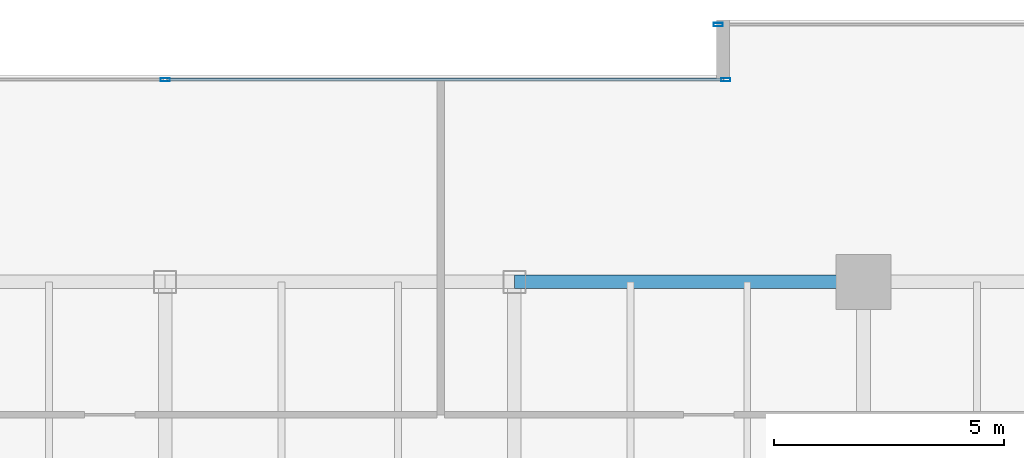
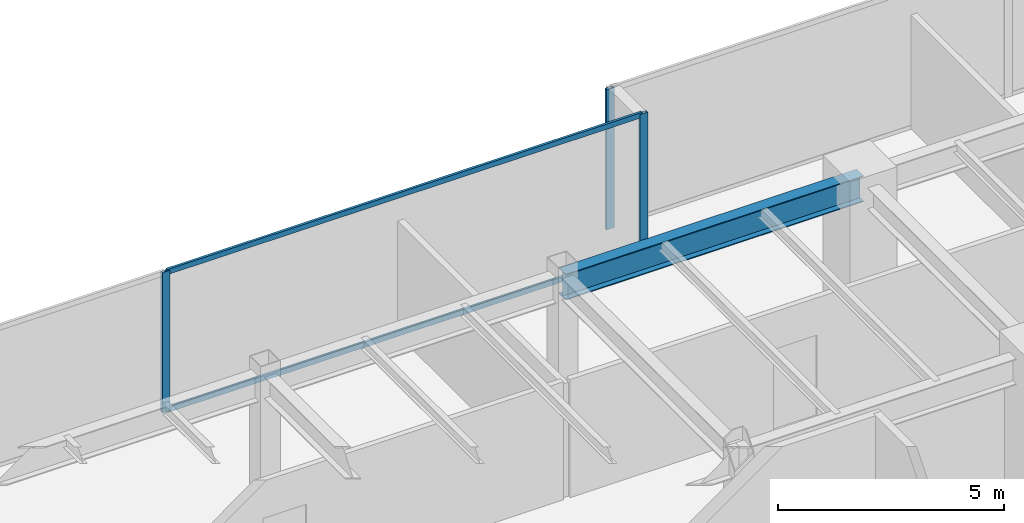
# One storey, part 18 of 31: 5 members, 1 beam, 2 elements without a shape of their own.
"""IFC4 building model written with IfcOpenShell, lengths in metres."""

from ifc_helpers import new_model, si_unit, direction, frame, origin, origin_2d, place, context, subcontext, project, spatial, hollow_rectangle, i_section, extrude, source, transform, mapped, material, layer, layer_set, material_profile, profile_set, type_object, type_shapes, element, aggregate, save


model = new_model("IFC4")

# Units and contexts
model_context = context("Model", 3, precision=1e-05, world=origin(), true_north=direction((0.0, 1.0)))
body_context = subcontext(model_context, "Body", "Model", "MODEL_VIEW")
ifc_project = project(units=[si_unit("LENGTHUNIT", "METRE"), si_unit("AREAUNIT", "SQUARE_METRE"), si_unit("VOLUMEUNIT", "CUBIC_METRE"), si_unit("PLANEANGLEUNIT", "RADIAN"), si_unit("MASSUNIT", "GRAM", prefix="KILO")], contexts=[model_context])

# Site, building, storey
site_placement = place(None, origin())
site = spatial("IfcSite", under=ifc_project, at=site_placement, CompositionType="ELEMENT")
building_placement = place(site_placement, origin())
building = spatial("IfcBuilding", under=site, at=building_placement, Name="Haelvirn Gate Laboratories", CompositionType="ELEMENT")
storey_placement = place(building_placement, frame((0.0, 0.0, 174.800048828125)))
storey = spatial("IfcBuildingStorey", under=building, at=storey_placement, Name="L42", CompositionType="ELEMENT", Elevation=174.800048828125)

# Beam
ifc_material_1 = material(Name="Steel SM355", Category="steel")
ifc_material_profile_1 = material_profile(ifc_material_1, i_section(OverallWidth=0.300048828125, OverallDepth=0.699951171875, WebThickness=0.012939453125, FlangeThickness=0.02392578125, at=origin_2d()), Name="H-700x300x13x24")
ifc_profile_set_1 = profile_set([ifc_material_profile_1], Name="Steel SM355")
beam_type = type_object("IfcBeamType", Name="BM-G-700", PredefinedType="BEAM", material=ifc_profile_set_1)
shared_shape_1 = source(origin(), body_context, "Body", "SweptSolid", [
    extrude(i_section(OverallWidth=0.300048828125, OverallDepth=0.699951171875, WebThickness=0.012939453125, FlangeThickness=0.02392578125, at=origin_2d()), origin(), (0.0, 0.0, 1.0), 7.60009765625),
])
type_shapes(beam_type, [shared_shape_1])
beam_placement = place(storey_placement, frame((45.0, 41.60009765625, 3.43994140625), z_axis=(1.0, 0.0, 0.0), x_axis=(0.0, 1.0, 0.0)))
element("IfcBeam", 1, at=beam_placement, inside=storey, type_object=beam_type, Name="L42 Primary Girder Y41.6 (45.0-52.6)", PredefinedType="BEAM", context=body_context, shape_type="MappedRepresentation", body=[
    mapped(shared_shape_1, transform((0.0, 0.0, 0.0), scale=1.0)),
])

# Curtain wall, members
ifc_material_2 = material(Name="Anodised bronze unitised aluminium & triple low-E glass", Category="aluminium")
ifc_layer = layer(ifc_material_2, 0.179931640625, Name="CW-SYS-3")
ifc_layer_set = layer_set([ifc_layer], Name="Anodised bronze unitised aluminium & triple low-E glass")
curtain_wall_type = type_object("IfcCurtainWallType", Name="CW-SYS-3", PredefinedType="NOTDEFINED", material=ifc_layer_set)
curtain_wall_1_placement = place(storey_placement, origin())
curtain_wall_1 = element("IfcCurtainWall", 2, at=curtain_wall_1_placement, inside=storey, type_object=curtain_wall_type, Name="L42 Unitised Curtain Wall CW-L42-P0-E12-1", PredefinedType="NOTDEFINED")
ifc_material_3 = material(Name="Extruded aluminium 6063-T6 (anodised bronze)", Category="aluminium")
ifc_material_profile_2 = material_profile(ifc_material_3, hollow_rectangle(XDim=0.06494140625, YDim=0.139892578125, WallThickness=0.00390625, at=origin_2d()), Name="CWT-140x65x4")
ifc_profile_set_2 = profile_set([ifc_material_profile_2], Name="Extruded aluminium 6063-T6 (anodised bronze)")
member_type_1 = type_object("IfcMemberType", Name="CWT-T140", PredefinedType="USERDEFINED", material=ifc_profile_set_2)
shared_shape_2 = source(origin(), body_context, "Body", "SweptSolid", [
    extrude(hollow_rectangle(XDim=0.06494140625, YDim=0.139892578125, WallThickness=0.00390625, at=origin_2d()), origin(), (0.0, 0.0, 1.0), 12.12744140625),
])
type_shapes(member_type_1, [shared_shape_2])
member_1_placement = place(storey_placement, frame((37.4375, 46.0, 0.032470703125), z_axis=(1.0, 0.0, 0.0), x_axis=(0.0, 1.0, 0.0)))
member_1 = element("IfcMember", 3, at=member_1_placement, type_object=member_type_1, Name="CW3 transom 2.1", ObjectType="TRANSOM", PredefinedType="USERDEFINED", context=body_context, shape_type="MappedRepresentation", body=[
    mapped(shared_shape_2, transform((0.0, 0.0, 0.0), scale=1.0)),
])
member_2_placement = place(storey_placement, frame((37.4375, 46.0, 3.757568359375), z_axis=(1.0, 0.0, 0.0), x_axis=(0.0, 1.0, 0.0)))
member_2 = element("IfcMember", 4, at=member_2_placement, type_object=member_type_1, Name="CW3 transom 2.2", ObjectType="TRANSOM", PredefinedType="USERDEFINED", context=body_context, shape_type="MappedRepresentation", body=[
    mapped(shared_shape_2, transform((0.0, 0.0, 0.0), scale=1.0)),
])

# Curtain wall, member
curtain_wall_2_placement = place(storey_placement, origin())
curtain_wall_2 = element("IfcCurtainWall", 5, at=curtain_wall_2_placement, inside=storey, type_object=curtain_wall_type, Name="L42 Unitised Curtain Wall CW-L42-P0-E10-1", PredefinedType="NOTDEFINED")
ifc_material_profile_3 = material_profile(ifc_material_3, hollow_rectangle(XDim=0.074951171875, YDim=0.199951171875, WallThickness=0.0048828125, at=origin_2d()), Name="CWM-200x75x5")
ifc_profile_set_3 = profile_set([ifc_material_profile_3], Name="Extruded aluminium 6063-T6 (anodised bronze)")
member_type_2 = type_object("IfcMemberType", Name="CWM-T200", PredefinedType="MULLION", material=ifc_profile_set_3)
shared_shape_3 = source(origin(), body_context, "Body", "SweptSolid", [
    extrude(hollow_rectangle(XDim=0.074951171875, YDim=0.199951171875, WallThickness=0.0048828125, at=origin_2d()), origin(), (0.0, 0.0, 1.0), 3.7900390625),
])
type_shapes(member_type_2, [shared_shape_3])
member_3_placement = place(storey_placement, frame((49.4375, 47.199951171875, 0.0), z_axis=(0.0, 0.0, 1.0), x_axis=(0.0, 1.0, 0.0)))
member_3 = element("IfcMember", 6, at=member_3_placement, type_object=member_type_2, Name="CW3 mullion 1", PredefinedType="MULLION", context=body_context, shape_type="MappedRepresentation", body=[
    mapped(shared_shape_3, transform((0.0, 0.0, 0.0), scale=1.0)),
])
aggregate(curtain_wall_2, [member_3])

# Member
member_4_placement = place(storey_placement, frame((37.39990234375, 46.0, 0.0), z_axis=(0.0, 0.0, 1.0), x_axis=(0.0, 1.0, 0.0)))
member_4 = element("IfcMember", 7, at=member_4_placement, type_object=member_type_2, Name="CW3 mullion 2", PredefinedType="MULLION", context=body_context, shape_type="MappedRepresentation", body=[
    mapped(shared_shape_3, transform((0.0, 0.0, 0.0), scale=1.0)),
])

member_5_placement = place(storey_placement, frame((49.6025390625, 46.0, 0.0), z_axis=(0.0, 0.0, 1.0), x_axis=(0.0, 1.0, 0.0)))
member_5 = element("IfcMember", 8, at=member_5_placement, type_object=member_type_2, Name="CW3 mullion 3", PredefinedType="MULLION", context=body_context, shape_type="MappedRepresentation", body=[
    mapped(shared_shape_3, transform((0.0, 0.0, 0.0), scale=1.0)),
])

aggregate(curtain_wall_1, [member_4, member_5, member_1, member_2])

save(model, "model.ifc")
